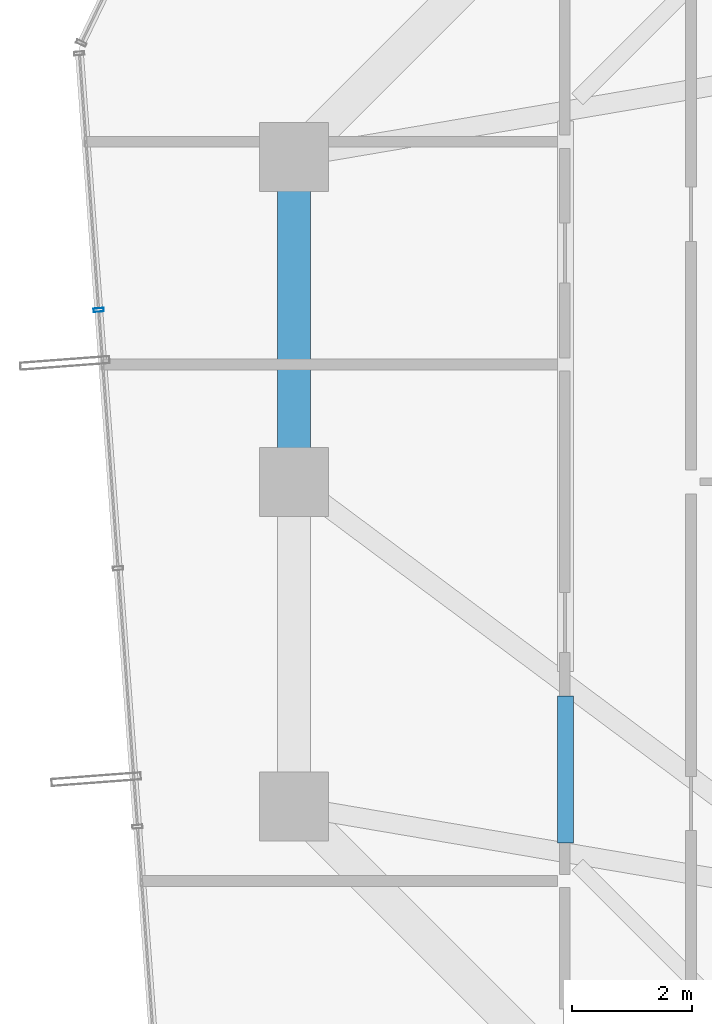
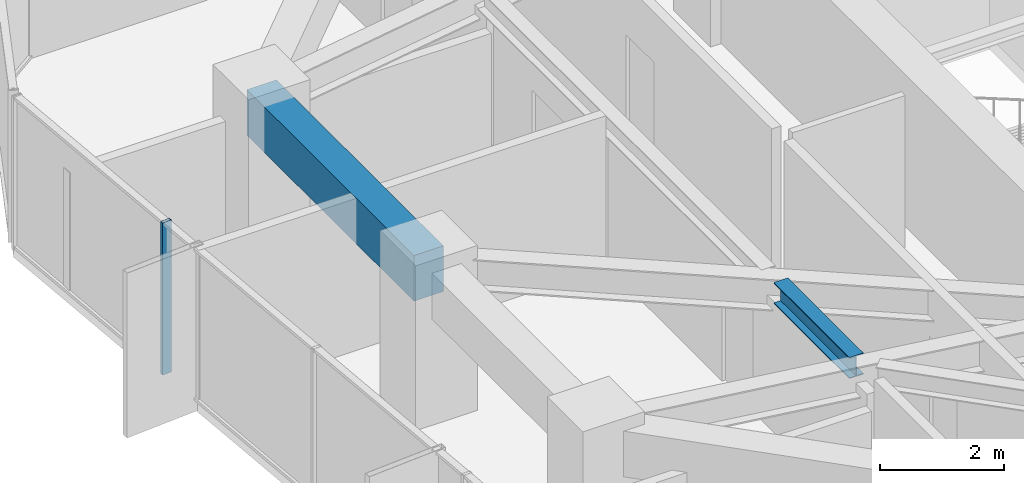
# One storey, part 12 of 35: 2 beams, 1 member, 1 element without a shape of its own.
"""IFC4 building model written with IfcOpenShell, lengths in metres."""

from ifc_helpers import new_model, si_unit, direction, frame, origin, origin_2d, place, context, subcontext, project, spatial, rectangle, hollow_rectangle, i_section, extrude, source, transform, mapped, material, layer, layer_set, material_profile, profile_set, type_object, element, aggregate, save


model = new_model("IFC4")

# Units and contexts
model_context = context("Model", 3, precision=1e-05, world=origin(), true_north=direction((0.0, 1.0)))
body_context = subcontext(model_context, "Body", "Model", "MODEL_VIEW")
ifc_project = project(units=[si_unit("LENGTHUNIT", "METRE"), si_unit("AREAUNIT", "SQUARE_METRE"), si_unit("VOLUMEUNIT", "CUBIC_METRE"), si_unit("PLANEANGLEUNIT", "RADIAN"), si_unit("MASSUNIT", "GRAM", prefix="KILO")], contexts=[model_context])

# Site, building, storey
site_placement = place(None, origin())
site = spatial("IfcSite", under=ifc_project, at=site_placement, CompositionType="ELEMENT")
building_placement = place(site_placement, origin())
building = spatial("IfcBuilding", under=site, at=building_placement, Name="Veraguas Prism Commons", CompositionType="ELEMENT")
storey_placement = place(building_placement, frame((0.0, 0.0, 142.5)))
storey = spatial("IfcBuildingStorey", under=building, at=storey_placement, Name="L40", CompositionType="ELEMENT", Elevation=142.5)

# Beams
ifc_material_1 = material(Name="Steel ASTM A992 Grade 50", Category="steel")
ifc_material_profile_1 = material_profile(ifc_material_1, i_section(OverallWidth=0.260986328125, OverallDepth=0.419921875, WebThickness=0.01171875, FlangeThickness=0.019287109375, at=origin_2d()), Name="W410X114")
ifc_profile_set_1 = profile_set([ifc_material_profile_1], Name="Steel ASTM A992 Grade 50")
beam_type_1 = type_object("IfcBeamType", Name="Lower Floor Joist W410x114", PredefinedType="JOIST", material=ifc_profile_set_1)
beam_1_placement = place(storey_placement, frame((12.31201171875, 20.43798828125, 2.7900390625), z_axis=(0.0, -1.0, 0.0), x_axis=(1.0, 0.0, 0.0)))
element("IfcBeam", 1, at=beam_1_placement, inside=storey, type_object=beam_type_1, Name="Composite Floor Joist L40-JS08", PredefinedType="JOIST", context=body_context, shape_type="SweptSolid", body=[
    extrude(i_section(OverallWidth=0.260986328125, OverallDepth=0.419921875, WebThickness=0.01171875, FlangeThickness=0.019287109375, at=origin_2d()), origin(), (0.0, 0.0, 1.0), 2.441650390625),
])
ifc_material_2 = material(Name="Concrete C50/60", Category="concrete")
ifc_material_profile_2 = material_profile(ifc_material_2, rectangle(XDim=0.550048828125, YDim=0.89990234375, at=origin_2d()), Name="RC550X900")
ifc_profile_set_2 = profile_set([ifc_material_profile_2], Name="Concrete C50/60")
beam_type_2 = type_object("IfcBeamType", Name="Perimeter Spandrel Lower RC 550x900", PredefinedType="SPANDREL", material=ifc_profile_set_2)
beam_2_placement = place(storey_placement, frame((7.800048828125, 29.39990234375, 2.550048828125), z_axis=(0.0, -1.0, 0.0), x_axis=(1.0, 0.0, 0.0)))
element("IfcBeam", 2, at=beam_2_placement, inside=storey, type_object=beam_type_2, Name="Perimeter Spandrel Beam L40-SP07", PredefinedType="SPANDREL", context=body_context, shape_type="SweptSolid", body=[
    extrude(rectangle(XDim=0.550048828125, YDim=0.89990234375, at=origin_2d()), origin(), (0.0, 0.0, 1.0), 5.39990234375),
])

# Curtain wall, member
ifc_material_3 = material(Name="Anodised aluminium EN AW-6063 T6", Category="aluminium")
ifc_layer = layer(ifc_material_3, 0.169921875, Name="Unitised Flush Curtain Wall Zone 2", Category="aluminium")
ifc_layer_set = layer_set([ifc_layer], Name="Anodised aluminium EN AW-6063 T6")
curtain_wall_type = type_object("IfcCurtainWallType", Name="Unitised Flush Curtain Wall Zone 2", PredefinedType="NOTDEFINED", material=ifc_layer_set)
curtain_wall_placement = place(storey_placement, origin())
curtain_wall = element("IfcCurtainWall", 3, at=curtain_wall_placement, inside=storey, type_object=curtain_wall_type, Name="Tower Facade Curtain Wall L40-F3", PredefinedType="NOTDEFINED")
ifc_material_profile_3 = material_profile(ifc_material_3, hollow_rectangle(XDim=0.06005859375, YDim=0.169921875, WallThickness=0.00390625, at=origin_2d()), Name="AL60X170X4")
ifc_profile_set_3 = profile_set([ifc_material_profile_3], Name="Anodised aluminium EN AW-6063 T6")
member_type = type_object("IfcMemberType", Name="Curtain Wall Mullion Lower AL 60x170x4", PredefinedType="MULLION", material=ifc_profile_set_3)
shared_shape = source(origin(), body_context, "Body", "SweptSolid", [
    extrude(hollow_rectangle(XDim=0.06005859375, YDim=0.169921875, WallThickness=0.00390625, at=origin_2d()), origin(), (0.0, 0.0, 1.0), 3.0),
])
member_placement = place(storey_placement, frame((4.54833984375, 26.858154296875, 0.0), z_axis=(0.0, 0.0, 1.0), x_axis=(0.074978726826, -0.997185133525, 0.0)))
member = element("IfcMember", 4, at=member_placement, type_object=member_type, Name="CW-Z2 Mullion 2", PredefinedType="MULLION", context=body_context, shape_type="MappedRepresentation", body=[
    mapped(shared_shape, transform((0.0, 0.0, 0.0), scale=1.0)),
])
aggregate(curtain_wall, [member])

save(model, "model.ifc")
